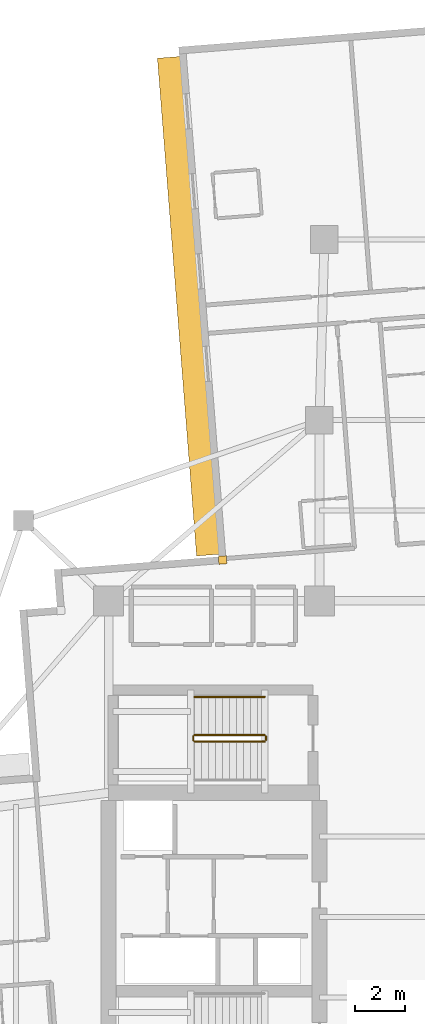
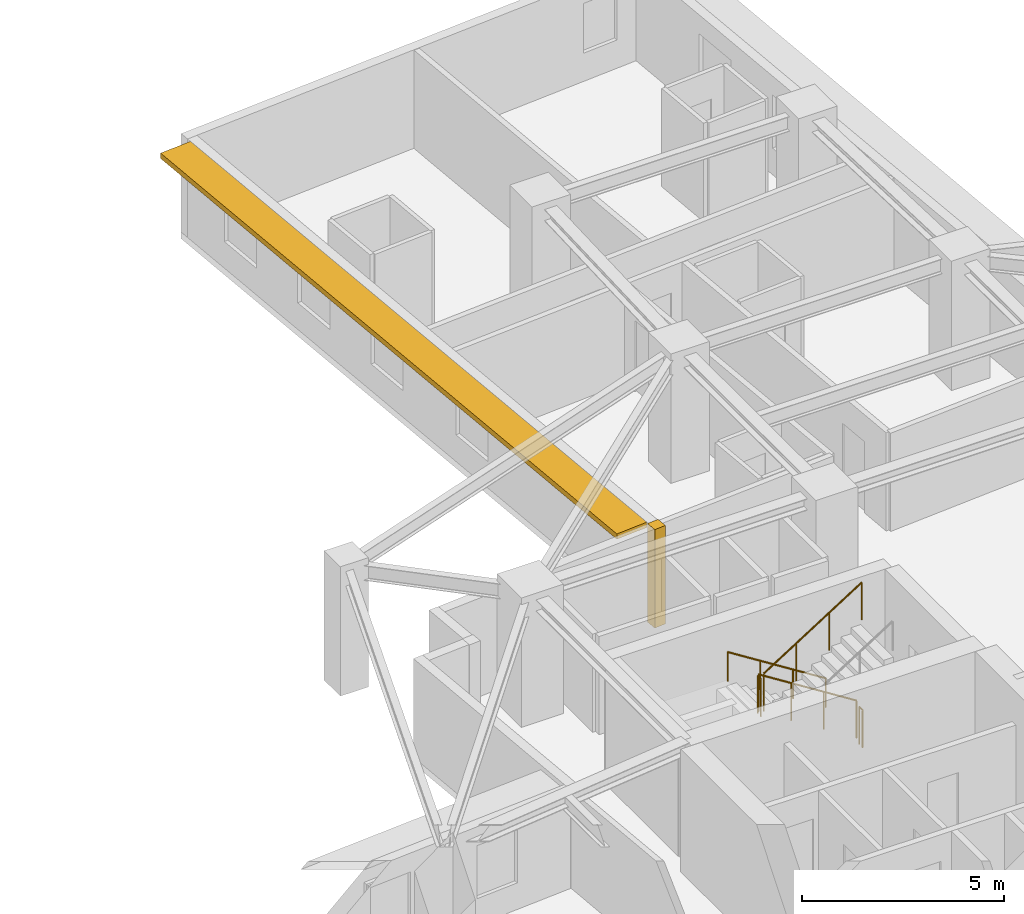
# One storey, part 13 of 14: 5 railings, 1 covering, 1 shading device.
"""IFC4 building model written with IfcOpenShell, lengths in metres."""

from ifc_helpers import new_model, si_unit, direction, frame, origin, origin_2d, place, context, subcontext, project, spatial, rectangle, circle, extrude, material, layer, layer_set, type_object, element, save


model = new_model("IFC4")

# Units and contexts
model_context = context("Model", 3, precision=1e-05, world=origin(), true_north=direction((0.0, 1.0)))
body_context = subcontext(model_context, "Body", "Model", "MODEL_VIEW")
ifc_project = project(units=[si_unit("LENGTHUNIT", "METRE"), si_unit("AREAUNIT", "SQUARE_METRE"), si_unit("VOLUMEUNIT", "CUBIC_METRE"), si_unit("PLANEANGLEUNIT", "RADIAN"), si_unit("MASSUNIT", "GRAM", prefix="KILO")], contexts=[model_context])

# Site, building, storey
site_placement = place(None, origin())
site = spatial("IfcSite", under=ifc_project, at=site_placement, CompositionType="ELEMENT")
building_placement = place(site_placement, origin())
building = spatial("IfcBuilding", under=site, at=building_placement, Name="Qingluan Cross Belvedere", CompositionType="ELEMENT")
storey_placement = place(building_placement, frame((0.0, 0.0, 124.199951171875)))
storey = spatial("IfcBuildingStorey", under=building, at=storey_placement, Name="L31", CompositionType="ELEMENT", Elevation=124.199951171875)

# Covering
ifc_material_1 = material(Name="Precast concrete C45", Category="concrete")
ifc_layer_1 = layer(ifc_material_1, 0.1201171875, Name="ConcreteSpandrelCladding_120")
ifc_layer_set_1 = layer_set([ifc_layer_1], Name="Precast concrete C45")
covering_type = type_object("IfcCoveringType", Name="ConcreteSpandrelCladding_120", PredefinedType="CLADDING", material=ifc_layer_set_1)
covering_placement = place(storey_placement, frame((-7.860595703125, 14.22705078125, 0.0), z_axis=(0.0, 0.0, 1.0), x_axis=(0.996917333733, 0.078459095728, 0.0)))
element("IfcCovering", 1, at=covering_placement, inside=storey, type_object=covering_type, Name="Corner closure L31-NW2", PredefinedType="CLADDING", context=body_context, shape_type="SweptSolid", body=[
    extrude(rectangle(XDim=0.320068359375, YDim=0.320068359375, at=origin_2d()), origin(), (0.0, 0.0, 1.0), 2.969970703125),
])

# Shading device
ifc_material_2 = material(Name="Precast concrete C45", Category="concrete")
ifc_layer_2 = layer(ifc_material_2, 0.159912109375, Name="ConcreteSunshadeBand_900")
ifc_layer_set_2 = layer_set([ifc_layer_2], Name="Precast concrete C45")
shading_device_type = type_object("IfcShadingDeviceType", Name="ConcreteSunshadeBand_900", PredefinedType="USERDEFINED", material=ifc_layer_set_2)
shading_device_placement = place(storey_placement, frame((-9.228271484375, 24.341064453125, 2.7900390625), z_axis=(0.0, 0.0, 1.0), x_axis=(0.078457869429, -0.996917430244, 0.0)))
element("IfcShadingDevice", 2, at=shading_device_placement, inside=storey, type_object=shading_device_type, Name="Concrete SUNSHADE L31-NB", ObjectType="SUNSHADE", PredefinedType="USERDEFINED", context=body_context, shape_type="SweptSolid", body=[
    extrude(rectangle(XDim=19.89990234375, YDim=0.89990234375, at=origin_2d()), origin(), (0.0, 0.0, 1.0), 0.159912109375),
])

# Railings
ifc_material_3 = material(Name="Brushed stainless steel tubular handrail", Category="steel")
railing_type_1 = type_object("IfcRailingType", Name="StairPitchHandrail_900", PredefinedType="HANDRAIL", material=ifc_material_3)
railing_1_placement = place(storey_placement, frame((-6.179931640625, 8.77001953125, 0.17724609375)))
element("IfcRailing", 3, at=railing_1_placement, inside=storey, type_object=railing_type_1, Name="L31 ST3 stair handrail 1", PredefinedType="HANDRAIL", context=body_context, shape_type="SweptSolid", body=[
    extrude(circle(Radius=0.02392578125, at=origin_2d()), frame((0.0, 0.0, 0.8759765625), z_axis=(-0.844908973607, 0.0, 0.534910110503), x_axis=(0.0, -1.0, 0.0)), (0.0, 0.0, 1.0), 3.31396484375),
    extrude(circle(Radius=0.02099609375, at=origin_2d()), origin(), (0.0, 0.0, 1.0), 0.851806640625),
    extrude(circle(Radius=0.02099609375, at=origin_2d()), frame((-0.933349609375, 0.0, 0.5908203125)), (0.0, 0.0, 1.0), 0.851806640625),
    extrude(circle(Radius=0.02099609375, at=origin_2d()), frame((-1.86669921875, 0.0, 1.181884765625)), (0.0, 0.0, 1.0), 0.851806640625),
    extrude(circle(Radius=0.02099609375, at=origin_2d()), frame((-2.800048828125, 0.0, 1.772705078125)), (0.0, 0.0, 1.0), 0.851806640625),
])
ifc_material_4 = material(Name="Painted steel stair well guard", Category="steel")
railing_type_2 = type_object("IfcRailingType", Name="StairWellGuard_1150", PredefinedType="BALUSTRADE", material=ifc_material_4)
railing_2_placement = place(storey_placement, frame((-6.179931640625, 7.25, 0.17724609375)))
element("IfcRailing", 4, at=railing_2_placement, inside=storey, type_object=railing_type_2, Name="L31 ST3 stair guard 1", PredefinedType="BALUSTRADE", context=body_context, shape_type="SweptSolid", body=[
    extrude(circle(Radius=0.02392578125, at=origin_2d()), frame((0.0, 0.0, 1.1259765625), z_axis=(-0.844908973607, 0.0, 0.534910110503), x_axis=(0.0, -1.0, 0.0)), (0.0, 0.0, 1.0), 3.31396484375),
    extrude(circle(Radius=0.02099609375, at=origin_2d()), origin(), (0.0, 0.0, 1.0), 1.101806640625),
    extrude(circle(Radius=0.02099609375, at=origin_2d()), frame((-0.933349609375, 0.0, 0.5908203125)), (0.0, 0.0, 1.0), 1.101806640625),
    extrude(circle(Radius=0.02099609375, at=origin_2d()), frame((-1.86669921875, 0.0, 1.181884765625)), (0.0, 0.0, 1.0), 1.101806640625),
    extrude(circle(Radius=0.02099609375, at=origin_2d()), frame((-2.800048828125, 0.0, 1.772705078125)), (0.0, 0.0, 1.0), 1.101806640625),
])
railing_3_placement = place(storey_placement, frame((-9.030029296875, 7.199951171875, 1.949951171875)))
element("IfcRailing", 5, at=railing_3_placement, inside=storey, type_object=railing_type_2, Name="L31 ST3 stair guard 2", PredefinedType="BALUSTRADE", context=body_context, shape_type="SweptSolid", body=[
    extrude(circle(Radius=0.02392578125, at=origin_2d()), frame((0.0, 0.0, 1.1259765625), z_axis=(0.0, -1.0, 0.0), x_axis=(1.0, 0.0, 0.0)), (0.0, 0.0, 1.0), 0.159912109375),
    extrude(circle(Radius=0.02099609375, at=origin_2d()), origin(), (0.0, 0.0, 1.0), 1.101806640625),
    extrude(circle(Radius=0.02099609375, at=origin_2d()), frame((0.0, -0.159912109375, 0.0)), (0.0, 0.0, 1.0), 1.101806640625),
])
railing_4_placement = place(storey_placement, frame((-8.97998046875, 6.989990234375, 2.12744140625)))
element("IfcRailing", 6, at=railing_4_placement, inside=storey, type_object=railing_type_2, Name="L31 ST3 stair guard 3", PredefinedType="BALUSTRADE", context=body_context, shape_type="SweptSolid", body=[
    extrude(circle(Radius=0.02392578125, at=origin_2d()), frame((0.0, 0.0, 1.1259765625), z_axis=(0.844908973607, 0.0, 0.534910110503), x_axis=(0.0, 1.0, 0.0)), (0.0, 0.0, 1.0), 3.31396484375),
    extrude(circle(Radius=0.02099609375, at=origin_2d()), origin(), (0.0, 0.0, 1.0), 1.101806640625),
    extrude(circle(Radius=0.02099609375, at=origin_2d()), frame((0.933349609375, 0.0, 0.5908203125)), (0.0, 0.0, 1.0), 1.101806640625),
    extrude(circle(Radius=0.02099609375, at=origin_2d()), frame((1.86669921875, 0.0, 1.181884765625)), (0.0, 0.0, 1.0), 1.101806640625),
    extrude(circle(Radius=0.02099609375, at=origin_2d()), frame((2.800048828125, 0.0, 1.772705078125)), (0.0, 0.0, 1.0), 1.101806640625),
])
railing_5_placement = place(storey_placement, frame((-6.1298828125, 7.199951171875, 0.0)))
element("IfcRailing", 7, at=railing_5_placement, inside=storey, type_object=railing_type_2, Name="L31 ST3 stair guard 4", PredefinedType="BALUSTRADE", context=body_context, shape_type="SweptSolid", body=[
    extrude(circle(Radius=0.02392578125, at=origin_2d()), frame((0.0, 0.0, 1.1259765625), z_axis=(0.0, -1.0, 0.0), x_axis=(1.0, 0.0, 0.0)), (0.0, 0.0, 1.0), 0.159912109375),
    extrude(circle(Radius=0.02099609375, at=origin_2d()), origin(), (0.0, 0.0, 1.0), 1.101806640625),
    extrude(circle(Radius=0.02099609375, at=origin_2d()), frame((0.0, -0.159912109375, 0.0)), (0.0, 0.0, 1.0), 1.101806640625),
])

save(model, "model.ifc")
